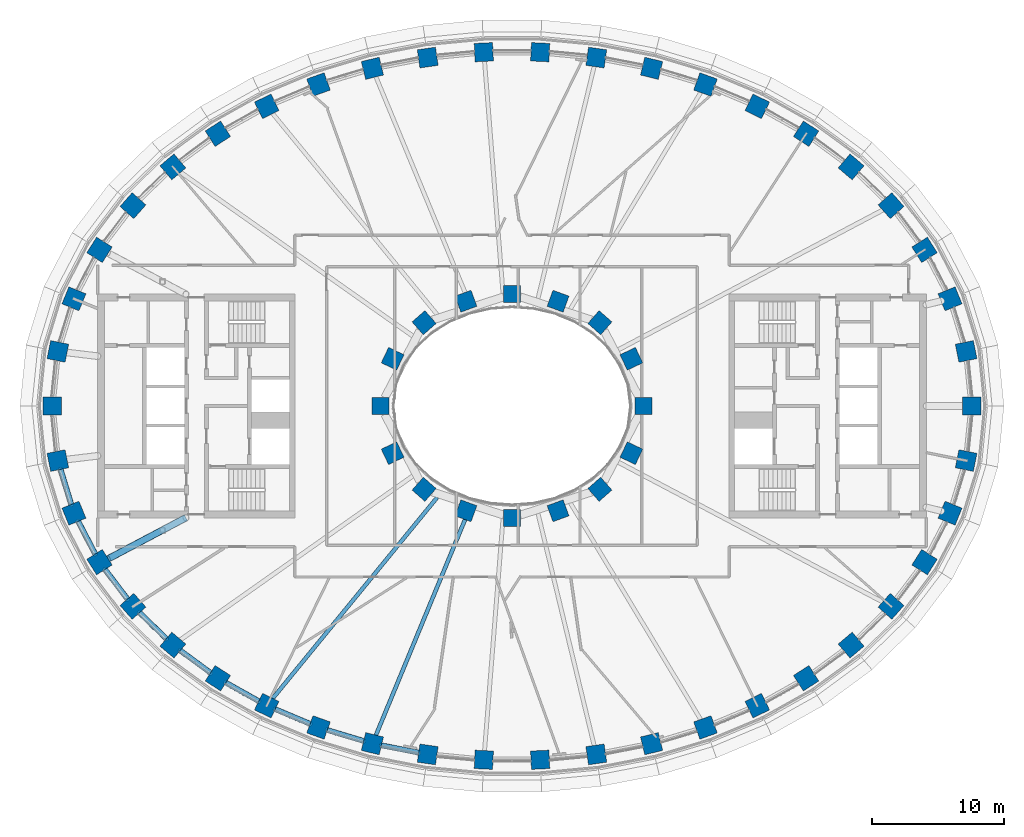
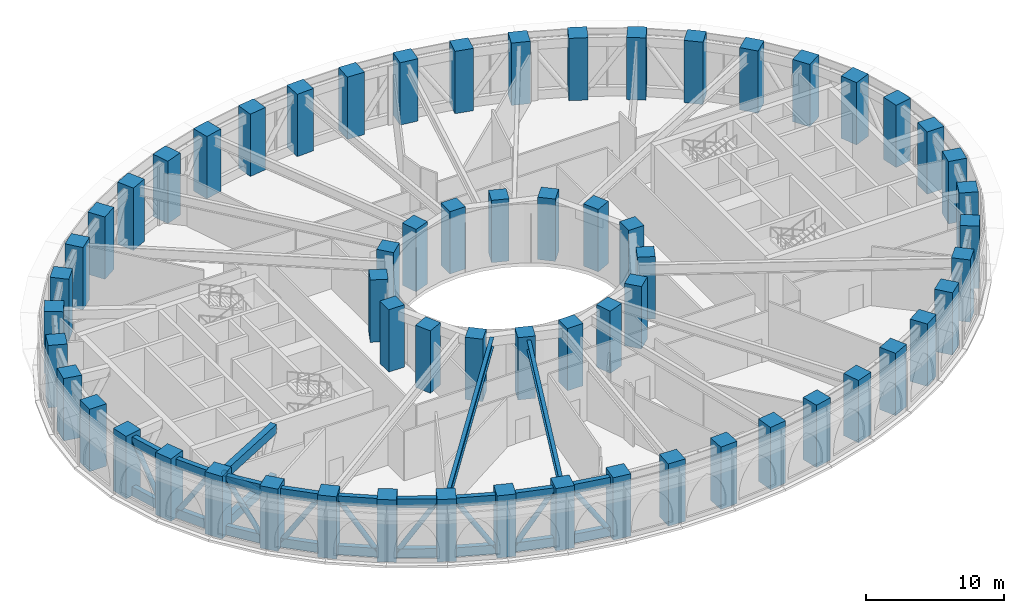
# One storey, part 1 of 25: 62 columns, 22 beams, 10 members.
"""IFC4 building model written with IfcOpenShell, lengths in metres."""

from ifc_helpers import new_model, si_unit, direction, frame, origin, origin_2d, place, context, subcontext, project, spatial, rectangle, hollow_rectangle, hollow_circle, i_section, extrude, material, material_profile, profile_set, type_object, element, save


model = new_model("IFC4")

# Units and contexts
model_context = context("Model", 3, precision=1e-05, world=origin(), true_north=direction((0.0, 1.0)))
body_context = subcontext(model_context, "Body", "Model", "MODEL_VIEW")
ifc_project = project(units=[si_unit("LENGTHUNIT", "METRE"), si_unit("AREAUNIT", "SQUARE_METRE"), si_unit("VOLUMEUNIT", "CUBIC_METRE"), si_unit("PLANEANGLEUNIT", "RADIAN"), si_unit("MASSUNIT", "GRAM", prefix="KILO")], contexts=[model_context])

# Site, building, storey
site_placement = place(None, origin())
site = spatial("IfcSite", under=ifc_project, at=site_placement, CompositionType="ELEMENT")
building_placement = place(site_placement, origin())
building = spatial("IfcBuilding", under=site, at=building_placement, Name="Noorbagh Ring Tower", CompositionType="ELEMENT")
storey_placement = place(building_placement, frame((0.0, 0.0, 82.5)))
storey = spatial("IfcBuildingStorey", under=building, at=storey_placement, Name="L18", CompositionType="ELEMENT", Elevation=82.5)

# Columns
ifc_material_1 = material(Name="Concrete C70/85", Category="concrete")
ifc_material_profile_1 = material_profile(ifc_material_1, rectangle(XDim=1.39990234375, YDim=1.39990234375, at=origin_2d()), Name="RC1400x1400")
ifc_profile_set_1 = profile_set([ifc_material_profile_1], Name="Concrete C70/85")
column_type_1 = type_object("IfcColumnType", Name="STR-COL-RC1400x1400-C70-85", PredefinedType="COLUMN", material=ifc_profile_set_1)
for number, where, z_axis, x_axis, name in (
    (1, (34.944580078125, 0.0, 0.0), (0.0, 0.0, 1.0), (0.0, 1.0, 0.0), "L18/col/R1-01"),
    (2, (34.52685546875, 4.150634765625, 0.0), (0.0, 0.0, 1.0), (-0.19723040178, 0.9803571638, 0.0), "L18/col/R1-02"),
    (3, (33.30517578125, 8.1494140625, 0.0), (0.0, 0.0, 1.0), (-0.378989499959, 0.925400971969, 0.0), "L18/col/R1-03"),
    (4, (31.364990234375, 11.87109375, 0.0), (0.0, 0.0, 1.0), (-0.535190403059, 0.844731455833, 0.0), "L18/col/R1-04"),
    (5, (28.81884765625, 15.23046875, 0.0), (0.0, 0.0, 1.0), (-0.662635642662, 0.748941923699, 0.0), "L18/col/R1-05"),
    (6, (25.78271484375, 18.180419921875, 0.0), (0.0, 0.0, 1.0), (-0.763035199656, 0.646356932419, 0.0), "L18/col/R1-06"),
    (7, (22.362060546875, 20.699951171875, 0.0), (0.0, 0.0, 1.0), (-0.840247639643, 0.542202825586, 0.0), "L18/col/R1-07"),
    (8, (18.646240234375, 22.785400390625, 0.0), (0.0, 0.0, 1.0), (-0.898399080868, 0.439180021741, 0.0), "L18/col/R1-08"),
    (9, (14.70947265625, 24.44091796875, 0.0), (0.0, 0.0, 1.0), (-0.941024726094, 0.338337797003, 0.0), "L18/col/R1-09"),
    (10, (10.61328125, 25.673583984375, 0.0), (0.0, 0.0, 1.0), (-0.970829360981, 0.239771457553, 0.0), "L18/col/R1-10"),
    (11, (6.4091796875, 26.49072265625, 0.0), (0.0, 0.0, 1.0), (-0.989713114048, 0.143066249975, 0.0), "L18/col/R1-11"),
    (12, (2.14306640625, 26.89794921875, 0.0), (0.0, 0.0, 1.0), (-0.998868731212, 0.047552684538, 0.0), "L18/col/R1-12"),
    (13, (-2.14306640625, 26.89794921875, 0.0), (0.0, 0.0, 1.0), (-0.998868731212, -0.047552684538, 0.0), "L18/col/R1-13"),
    (14, (-6.4091796875, 26.49072265625, 0.0), (0.0, 0.0, 1.0), (-0.989713114048, -0.143066249975, 0.0), "L18/col/R1-14"),
    (15, (-10.61328125, 25.673583984375, 0.0), (0.0, 0.0, 1.0), (-0.970829360981, -0.239771457553, 0.0), "L18/col/R1-15"),
    (16, (-14.70947265625, 24.44091796875, 0.0), (0.0, 0.0, 1.0), (-0.941024726094, -0.338337797003, 0.0), "L18/col/R1-16"),
    (17, (-18.646240234375, 22.785400390625, 0.0), (0.0, 0.0, 1.0), (-0.898399080868, -0.439180021741, 0.0), "L18/col/R1-17"),
    (18, (-22.362060546875, 20.699951171875, 0.0), (0.0, 0.0, 1.0), (-0.840247639643, -0.542202825586, 0.0), "L18/col/R1-18"),
    (19, (-25.78271484375, 18.180419921875, 0.0), (0.0, 0.0, 1.0), (-0.763035199656, -0.646356932419, 0.0), "L18/col/R1-19"),
    (20, (-28.81884765625, 15.23046875, 0.0), (0.0, 0.0, 1.0), (-0.662635642662, -0.748941923699, 0.0), "L18/col/R1-20"),
    (21, (-31.364990234375, 11.87109375, 0.0), (0.0, 0.0, 1.0), (-0.535190403059, -0.844731455833, 0.0), "L18/col/R1-21"),
    (22, (-33.30517578125, 8.1494140625, 0.0), (0.0, 0.0, 1.0), (-0.378989499959, -0.925400971969, 0.0), "L18/col/R1-22"),
    (23, (-34.52685546875, 4.150634765625, 0.0), (0.0, 0.0, 1.0), (-0.19723040178, -0.9803571638, 0.0), "L18/col/R1-23"),
    (24, (-34.944580078125, 0.0, 0.0), (0.0, 0.0, 1.0), (0.0, -1.0, 0.0), "L18/col/R1-24"),
    (25, (-34.52685546875, -4.150634765625, 0.0), (0.0, 0.0, 1.0), (0.19723040178, -0.9803571638, 0.0), "L18/col/R1-25"),
    (26, (-33.30517578125, -8.1494140625, 0.0), (0.0, 0.0, 1.0), (0.378989499959, -0.925400971969, 0.0), "L18/col/R1-26"),
    (27, (-31.364990234375, -11.87109375, 0.0), (0.0, 0.0, 1.0), (0.535190403059, -0.844731455833, 0.0), "L18/col/R1-27"),
    (28, (-28.81884765625, -15.23046875, 0.0), (0.0, 0.0, 1.0), (0.662635642662, -0.748941923699, 0.0), "L18/col/R1-28"),
    (29, (-25.78271484375, -18.180419921875, 0.0), (0.0, 0.0, 1.0), (0.763035199656, -0.646356932419, 0.0), "L18/col/R1-29"),
    (30, (-22.362060546875, -20.699951171875, 0.0), (0.0, 0.0, 1.0), (0.840247639643, -0.542202825586, 0.0), "L18/col/R1-30"),
    (31, (-18.646240234375, -22.785400390625, 0.0), (0.0, 0.0, 1.0), (0.898399080868, -0.439180021741, 0.0), "L18/col/R1-31"),
    (32, (-14.70947265625, -24.44091796875, 0.0), (0.0, 0.0, 1.0), (0.941024726094, -0.338337797003, 0.0), "L18/col/R1-32"),
    (33, (-10.61328125, -25.673583984375, 0.0), (0.0, 0.0, 1.0), (0.970829360981, -0.239771457553, 0.0), "L18/col/R1-33"),
    (34, (-6.4091796875, -26.49072265625, 0.0), (0.0, 0.0, 1.0), (0.989713114048, -0.143066249975, 0.0), "L18/col/R1-34"),
    (35, (-2.14306640625, -26.89794921875, 0.0), (0.0, 0.0, 1.0), (0.998868731212, -0.047552684538, 0.0), "L18/col/R1-35"),
    (36, (2.14306640625, -26.89794921875, 0.0), (0.0, 0.0, 1.0), (0.998868731212, 0.047552684538, 0.0), "L18/col/R1-36"),
    (37, (6.4091796875, -26.49072265625, 0.0), (0.0, 0.0, 1.0), (0.989713114048, 0.143066249975, 0.0), "L18/col/R1-37"),
    (38, (10.61328125, -25.673583984375, 0.0), (0.0, 0.0, 1.0), (0.970829360981, 0.239771457553, 0.0), "L18/col/R1-38"),
    (39, (14.70947265625, -24.44091796875, 0.0), (0.0, 0.0, 1.0), (0.941024726094, 0.338337797003, 0.0), "L18/col/R1-39"),
    (40, (18.646240234375, -22.785400390625, 0.0), (0.0, 0.0, 1.0), (0.898399080868, 0.439180021741, 0.0), "L18/col/R1-40"),
    (41, (22.362060546875, -20.699951171875, 0.0), (0.0, 0.0, 1.0), (0.840247639643, 0.542202825586, 0.0), "L18/col/R1-41"),
    (42, (25.78271484375, -18.180419921875, 0.0), (0.0, 0.0, 1.0), (0.763035199656, 0.646356932419, 0.0), "L18/col/R1-42"),
    (43, (28.81884765625, -15.23046875, 0.0), (0.0, 0.0, 1.0), (0.662635642662, 0.748941923699, 0.0), "L18/col/R1-43"),
    (44, (31.364990234375, -11.87109375, 0.0), (0.0, 0.0, 1.0), (0.535190403059, 0.844731455833, 0.0), "L18/col/R1-44"),
    (45, (33.30517578125, -8.1494140625, 0.0), (0.0, 0.0, 1.0), (0.378989499959, 0.925400971969, 0.0), "L18/col/R1-45"),
    (46, (34.52685546875, -4.150634765625, 0.0), (0.0, 0.0, 1.0), (0.19723040178, 0.9803571638, 0.0), "L18/col/R1-46"),
):
    element("IfcColumn", number, at=place(storey_placement, frame(where, z_axis=z_axis, x_axis=x_axis)), inside=storey, type_object=column_type_1, Name=name, PredefinedType="COLUMN", context=body_context, shape_type="SweptSolid", body=[
        extrude(rectangle(XDim=1.39990234375, YDim=1.39990234375, at=origin_2d()), origin(), (0.0, 0.0, 1.0), 5.5),
    ])
ifc_material_2 = material(Name="Concrete C70/85", Category="concrete")
ifc_material_profile_2 = material_profile(ifc_material_2, rectangle(XDim=1.300048828125, YDim=1.300048828125, at=origin_2d()), Name="RC1300x1300")
ifc_profile_set_2 = profile_set([ifc_material_profile_2], Name="Concrete C70/85")
column_type_2 = type_object("IfcColumnType", Name="STR-ICOL-RC1300x1300-C70-85", PredefinedType="COLUMN", material=ifc_profile_set_2)
for number, where, z_axis, x_axis, name in (
    (47, (10.00830078125, 0.0, 0.0), (0.0, 0.0, 1.0), (0.0, 1.0, 0.0), "L18/col/IR2-W01"),
    (48, (9.07568359375, 3.58837890625, 0.0), (0.0, 0.0, 1.0), (-0.428666979171, 0.903462573087, 0.0), "L18/col/IR2-W03"),
    (49, (6.68212890625, 6.333740234375, 0.0), (0.0, 0.0, 1.0), (-0.75102249095, 0.660276622399, 0.0), "L18/col/IR2-W05"),
    (50, (3.5009765625, 7.967041015625, 0.0), (0.0, 0.0, 1.0), (-0.939019578916, 0.343863679984, 0.0), "L18/col/IR2-W07"),
    (51, (0.0, 8.5029296875, 0.0), (0.0, 0.0, 1.0), (-1.0, 0.0, 0.0), "L18/col/IR2-W09"),
    (52, (-3.5009765625, 7.967041015625, 0.0), (0.0, 0.0, 1.0), (-0.939019578916, -0.343863679984, 0.0), "L18/col/IR2-W11"),
    (53, (-6.68212890625, 6.333740234375, 0.0), (0.0, 0.0, 1.0), (-0.75102249095, -0.660276622399, 0.0), "L18/col/IR2-W13"),
    (54, (-9.07568359375, 3.58837890625, 0.0), (0.0, 0.0, 1.0), (-0.428666979171, -0.903462573087, 0.0), "L18/col/IR2-W15"),
    (55, (-10.00830078125, 0.0, 0.0), (0.0, 0.0, 1.0), (0.0, -1.0, 0.0), "L18/col/IR2-W17"),
    (56, (-9.07568359375, -3.58837890625, 0.0), (0.0, 0.0, 1.0), (0.428666979171, -0.903462573087, 0.0), "L18/col/IR2-W19"),
    (57, (-6.68212890625, -6.333740234375, 0.0), (0.0, 0.0, 1.0), (0.75102249095, -0.660276622399, 0.0), "L18/col/IR2-W21"),
    (58, (-3.5009765625, -7.967041015625, 0.0), (0.0, 0.0, 1.0), (0.939019578916, -0.343863679984, 0.0), "L18/col/IR2-W23"),
    (59, (0.0, -8.5029296875, 0.0), (0.0, 0.0, 1.0), (1.0, 0.0, 0.0), "L18/col/IR2-W25"),
    (60, (3.5009765625, -7.967041015625, 0.0), (0.0, 0.0, 1.0), (0.939019578916, 0.343863679984, 0.0), "L18/col/IR2-W27"),
    (61, (6.68212890625, -6.333740234375, 0.0), (0.0, 0.0, 1.0), (0.75102249095, 0.660276622399, 0.0), "L18/col/IR2-W29"),
    (62, (9.07568359375, -3.58837890625, 0.0), (0.0, 0.0, 1.0), (0.428666979171, 0.903462573087, 0.0), "L18/col/IR2-W31"),
):
    element("IfcColumn", number, at=place(storey_placement, frame(where, z_axis=z_axis, x_axis=x_axis)), inside=storey, type_object=column_type_2, Name=name, PredefinedType="COLUMN", context=body_context, shape_type="SweptSolid", body=[
        extrude(rectangle(XDim=1.300048828125, YDim=1.300048828125, at=origin_2d()), origin(), (0.0, 0.0, 1.0), 5.5),
    ])

# Beams
ifc_material_3 = material(Name="Steel S460", Category="steel")
ifc_material_profile_3 = material_profile(ifc_material_3, hollow_rectangle(XDim=0.39990234375, YDim=0.800048828125, WallThickness=0.031982421875, at=origin_2d()), Name="BOX800x400x32")
ifc_profile_set_3 = profile_set([ifc_material_profile_3], Name="Steel S460")
beam_type_1 = type_object("IfcBeamType", Name="STR-BELT-TRUSS-CHORD-BOX800x400x32-S460", PredefinedType="BEAM", material=ifc_profile_set_3)
for number, where, z_axis, x_axis, name in (
    (63, (-34.3271484375, -4.80419921875, 0.39990234375), (0.292214128395, -0.956352917686, 0.0), (0.956352917686, 0.292214128395, 0.0), "Belt truss chord"),
    (64, (-34.3271484375, -4.80419921875, 4.800048828125), (0.292214128395, -0.956352917686, 0.0), (0.956352917686, 0.292214128395, 0.0), "Belt truss chord"),
):
    element("IfcBeam", number, at=place(storey_placement, frame(where, z_axis=z_axis, x_axis=x_axis)), inside=storey, type_object=beam_type_1, Name=name, PredefinedType="BEAM", context=body_context, shape_type="SweptSolid", body=[
        extrude(hollow_rectangle(XDim=0.39990234375, YDim=0.800048828125, WallThickness=0.031982421875, at=origin_2d()), origin(), (0.0, 0.0, 1.0), 2.814697265625),
    ])
for number, where, z_axis, x_axis, name in (
    (65, (-32.989501953125, -8.7548828125, 0.39990234375), (0.462289017529, -0.886729307214, 0.0), (0.886729307214, 0.462289017529, 0.0), "Belt truss chord"),
    (66, (-32.989501953125, -8.7548828125, 4.800048828125), (0.462289017529, -0.886729307214, 0.0), (0.886729307214, 0.462289017529, 0.0), "Belt truss chord"),
):
    element("IfcBeam", number, at=place(storey_placement, frame(where, z_axis=z_axis, x_axis=x_axis)), inside=storey, type_object=beam_type_1, Name=name, PredefinedType="BEAM", context=body_context, shape_type="SweptSolid", body=[
        extrude(hollow_rectangle(XDim=0.39990234375, YDim=0.800048828125, WallThickness=0.031982421875, at=origin_2d()), origin(), (0.0, 0.0, 1.0), 2.831787109375),
    ])
for number, where, z_axis, x_axis, name in (
    (67, (-30.952880859375, -12.414794921875, 0.39990234375), (0.604034079018, -0.796958487868, 0.0), (0.796958487868, 0.604034079018, 0.0), "Belt truss chord"),
    (68, (-30.952880859375, -12.414794921875, 4.800048828125), (0.604034079018, -0.796958487868, 0.0), (0.796958487868, 0.604034079018, 0.0), "Belt truss chord"),
):
    element("IfcBeam", number, at=place(storey_placement, frame(where, z_axis=z_axis, x_axis=x_axis)), inside=storey, type_object=beam_type_1, Name=name, PredefinedType="BEAM", context=body_context, shape_type="SweptSolid", body=[
        extrude(hollow_rectangle(XDim=0.39990234375, YDim=0.800048828125, WallThickness=0.031982421875, at=origin_2d()), origin(), (0.0, 0.0, 1.0), 2.85107421875),
    ])
for number, where, z_axis, x_axis, name in (
    (69, (-28.32958984375, -15.705810546875, 0.39990234375), (0.71720161488, -0.69686572854, 0.0), (0.69686572854, 0.71720161488, 0.0), "Belt truss chord"),
    (70, (-28.32958984375, -15.705810546875, 4.800048828125), (0.71720161488, -0.69686572854, 0.0), (0.69686572854, 0.71720161488, 0.0), "Belt truss chord"),
):
    element("IfcBeam", number, at=place(storey_placement, frame(where, z_axis=z_axis, x_axis=x_axis)), inside=storey, type_object=beam_type_1, Name=name, PredefinedType="BEAM", context=body_context, shape_type="SweptSolid", body=[
        extrude(hollow_rectangle(XDim=0.39990234375, YDim=0.800048828125, WallThickness=0.031982421875, at=origin_2d()), origin(), (0.0, 0.0, 1.0), 2.869384765625),
    ])
for number, where, z_axis, x_axis, name in (
    (71, (-25.23388671875, -18.58447265625, 0.39990234375), (0.805128135374, -0.593100906785, 0.0), (0.593100906785, 0.805128135374, 0.0), "Belt truss chord"),
    (72, (-25.23388671875, -18.58447265625, 4.800048828125), (0.805128135374, -0.593100906785, 0.0), (0.593100906785, 0.805128135374, 0.0), "Belt truss chord"),
):
    element("IfcBeam", number, at=place(storey_placement, frame(where, z_axis=z_axis, x_axis=x_axis)), inside=storey, type_object=beam_type_1, Name=name, PredefinedType="BEAM", context=body_context, shape_type="SweptSolid", body=[
        extrude(hollow_rectangle(XDim=0.39990234375, YDim=0.800048828125, WallThickness=0.031982421875, at=origin_2d()), origin(), (0.0, 0.0, 1.0), 2.885498046875),
    ])
for number, where, z_axis, x_axis, name in (
    (73, (-21.767822265625, -21.033447265625, 0.39990234375), (0.872027306064, -0.489457227426, 0.0), (0.489457227426, 0.872027306064, 0.0), "Belt truss chord"),
    (74, (-21.767822265625, -21.033447265625, 4.800048828125), (0.872027306064, -0.489457227426, 0.0), (0.489457227426, 0.872027306064, 0.0), "Belt truss chord"),
):
    element("IfcBeam", number, at=place(storey_placement, frame(where, z_axis=z_axis, x_axis=x_axis)), inside=storey, type_object=beam_type_1, Name=name, PredefinedType="BEAM", context=body_context, shape_type="SweptSolid", body=[
        extrude(hollow_rectangle(XDim=0.39990234375, YDim=0.800048828125, WallThickness=0.031982421875, at=origin_2d()), origin(), (0.0, 0.0, 1.0), 2.8984375),
    ])
for number, where, z_axis, x_axis, name in (
    (75, (-18.018310546875, -23.04931640625, 0.39990234375), (0.921785403555, -0.387700489803, 0.0), (0.387700489803, 0.921785403555, 0.0), "Belt truss chord"),
    (76, (-18.018310546875, -23.04931640625, 4.800048828125), (0.921785403555, -0.387700489803, 0.0), (0.387700489803, 0.921785403555, 0.0), "Belt truss chord"),
):
    element("IfcBeam", number, at=place(storey_placement, frame(where, z_axis=z_axis, x_axis=x_axis)), inside=storey, type_object=beam_type_1, Name=name, PredefinedType="BEAM", context=body_context, shape_type="SweptSolid", body=[
        extrude(hollow_rectangle(XDim=0.39990234375, YDim=0.800048828125, WallThickness=0.031982421875, at=origin_2d()), origin(), (0.0, 0.0, 1.0), 2.90869140625),
    ])
for number, where, z_axis, x_axis, name in (
    (77, (-14.057373046875, -24.63720703125, 0.39990234375), (0.95759784357, -0.288108260884, 0.0), (0.288108260884, 0.95759784357, 0.0), "Belt truss chord"),
    (78, (-14.057373046875, -24.63720703125, 4.800048828125), (0.95759784357, -0.288108260884, 0.0), (0.288108260884, 0.95759784357, 0.0), "Belt truss chord"),
):
    element("IfcBeam", number, at=place(storey_placement, frame(where, z_axis=z_axis, x_axis=x_axis)), inside=storey, type_object=beam_type_1, Name=name, PredefinedType="BEAM", context=body_context, shape_type="SweptSolid", body=[
        extrude(hollow_rectangle(XDim=0.39990234375, YDim=0.800048828125, WallThickness=0.031982421875, at=origin_2d()), origin(), (0.0, 0.0, 1.0), 2.915771484375),
    ])
for number, where, z_axis, x_axis, name in (
    (79, (-9.94482421875, -25.803466796875, 0.39990234375), (0.981624088963, -0.190824914433, 0.0), (0.190824914433, 0.981624088963, 0.0), "Belt truss chord"),
    (80, (-9.94482421875, -25.803466796875, 4.800048828125), (0.981624088963, -0.190824914433, 0.0), (0.190824914433, 0.981624088963, 0.0), "Belt truss chord"),
):
    element("IfcBeam", number, at=place(storey_placement, frame(where, z_axis=z_axis, x_axis=x_axis)), inside=storey, type_object=beam_type_1, Name=name, PredefinedType="BEAM", context=body_context, shape_type="SweptSolid", body=[
        extrude(hollow_rectangle(XDim=0.39990234375, YDim=0.800048828125, WallThickness=0.031982421875, at=origin_2d()), origin(), (0.0, 0.0, 1.0), 2.9208984375),
    ])

# Members
ifc_material_4 = material(Name="Steel S355", Category="steel")
ifc_material_profile_4 = material_profile(ifc_material_4, hollow_circle(Radius=0.203125, WallThickness=0.01611328125, at=origin_2d()), Name="CHS406.4x16")
ifc_profile_set_4 = profile_set([ifc_material_profile_4], Name="Steel S355")
member_type_1 = type_object("IfcMemberType", Name="STR-BELT-TRUSS-DIAGONAL-CHS406.4x16", PredefinedType="BRACE", material=ifc_profile_set_4)
member_1_placement = place(storey_placement, frame((-33.504638671875, -7.49609375, 0.39990234375), z_axis=(-0.157465779171, 0.515351048126, 0.842388168), x_axis=(-0.956352917686, -0.292214128395, 0.0)))
element("IfcMember", 81, at=member_1_placement, inside=storey, type_object=member_type_1, Name="Belt truss diagonal", PredefinedType="BRACE", context=body_context, shape_type="SweptSolid", body=[
    extrude(hollow_circle(Radius=0.203125, WallThickness=0.01611328125, at=origin_2d()), origin(), (0.0, 0.0, 1.0), 5.223388671875),
])
member_2_placement = place(storey_placement, frame((-32.989501953125, -8.7548828125, 0.39990234375), z_axis=(0.250178419674, -0.47987412278, 0.840911163332), x_axis=(0.886729307214, 0.462289017529, 0.0)))
element("IfcMember", 82, at=member_2_placement, inside=storey, type_object=member_type_1, Name="Belt truss diagonal", PredefinedType="BRACE", context=body_context, shape_type="SweptSolid", body=[
    extrude(hollow_circle(Radius=0.203125, WallThickness=0.01611328125, at=origin_2d()), origin(), (0.0, 0.0, 1.0), 5.232666015625),
])
member_3_placement = place(storey_placement, frame((-29.230712890625, -14.68701171875, 0.39990234375), z_axis=(-0.328463550828, 0.433372592508, 0.83922576929), x_axis=(-0.796958487868, -0.604034079018, 0.0)))
element("IfcMember", 83, at=member_3_placement, inside=storey, type_object=member_type_1, Name="Belt truss diagonal", PredefinedType="BRACE", context=body_context, shape_type="SweptSolid", body=[
    extrude(hollow_circle(Radius=0.203125, WallThickness=0.01611328125, at=origin_2d()), origin(), (0.0, 0.0, 1.0), 5.2431640625),
])
member_4_placement = place(storey_placement, frame((-28.32958984375, -15.705810546875, 0.39990234375), z_axis=(0.391748874364, -0.380641034647, 0.837642657807), x_axis=(0.69686572854, 0.71720161488, 0.0)))
element("IfcMember", 84, at=member_4_placement, inside=storey, type_object=member_type_1, Name="Belt truss diagonal", PredefinedType="BRACE", context=body_context, shape_type="SweptSolid", body=[
    extrude(hollow_circle(Radius=0.203125, WallThickness=0.01611328125, at=origin_2d()), origin(), (0.0, 0.0, 1.0), 5.2529296875),
])
member_5_placement = place(storey_placement, frame((-22.91064453125, -20.2958984375, 0.39990234375), z_axis=(-0.441520503226, 0.325247869652, 0.836225728209), x_axis=(-0.593100906785, -0.805128135374, 0.0)))
element("IfcMember", 85, at=member_5_placement, inside=storey, type_object=member_type_1, Name="Belt truss diagonal", PredefinedType="BRACE", context=body_context, shape_type="SweptSolid", body=[
    extrude(hollow_circle(Radius=0.203125, WallThickness=0.01611328125, at=origin_2d()), origin(), (0.0, 0.0, 1.0), 5.261962890625),
])
member_6_placement = place(storey_placement, frame((-21.767822265625, -21.033447265625, 0.39990234375), z_axis=(0.479706270357, -0.269252693619, 0.835095731733), x_axis=(0.489457227426, 0.872027306064, 0.0)))
element("IfcMember", 86, at=member_6_placement, inside=storey, type_object=member_type_1, Name="Belt truss diagonal", PredefinedType="BRACE", context=body_context, shape_type="SweptSolid", body=[
    extrude(hollow_circle(Radius=0.203125, WallThickness=0.01611328125, at=origin_2d()), origin(), (0.0, 0.0, 1.0), 5.26904296875),
])
member_7_placement = place(storey_placement, frame((-15.337158203125, -24.177001953125, 0.39990234375), z_axis=(-0.508312623929, 0.213794938074, 0.834212203704), x_axis=(-0.387700489803, -0.921785403555, 0.0)))
element("IfcMember", 87, at=member_7_placement, inside=storey, type_object=member_type_1, Name="Belt truss diagonal", PredefinedType="BRACE", context=body_context, shape_type="SweptSolid", body=[
    extrude(hollow_circle(Radius=0.203125, WallThickness=0.01611328125, at=origin_2d()), origin(), (0.0, 0.0, 1.0), 5.274658203125),
])
member_8_placement = place(storey_placement, frame((-14.057373046875, -24.63720703125, 0.39990234375), z_axis=(0.528972872137, -0.159149746701, 0.833582064747), x_axis=(0.288108260884, 0.95759784357, 0.0)))
element("IfcMember", 88, at=member_8_placement, inside=storey, type_object=member_type_1, Name="Belt truss diagonal", PredefinedType="BRACE", context=body_context, shape_type="SweptSolid", body=[
    extrude(hollow_circle(Radius=0.203125, WallThickness=0.01611328125, at=origin_2d()), origin(), (0.0, 0.0, 1.0), 5.278564453125),
])
member_9_placement = place(storey_placement, frame((-7.07763671875, -26.36083984375, 0.39990234375), z_axis=(-0.542888543508, 0.105535979635, 0.833147157668), x_axis=(-0.190824914433, -0.981624088963, 0.0)))
element("IfcMember", 89, at=member_9_placement, inside=storey, type_object=member_type_1, Name="Belt truss diagonal", PredefinedType="BRACE", context=body_context, shape_type="SweptSolid", body=[
    extrude(hollow_circle(Radius=0.203125, WallThickness=0.01611328125, at=origin_2d()), origin(), (0.0, 0.0, 1.0), 5.28125),
])

# Beams
ifc_material_5 = material(Name="Steel S460", Category="steel")
ifc_material_profile_5 = material_profile(ifc_material_5, hollow_rectangle(XDim=0.5, YDim=0.800048828125, WallThickness=0.0400390625, at=origin_2d()), Name="BOX800x500x40")
ifc_profile_set_5 = profile_set([ifc_material_profile_5], Name="Steel S460")
beam_type_2 = type_object("IfcBeamType", Name="STR-OUTRIGGER-TRUSS-CHORD-BOX800x500x40-S460", PredefinedType="BEAM", material=ifc_profile_set_5)
for number, where, z_axis, x_axis, name in (
    (90, (-30.71533203125, -11.625, 0.39990234375), (0.884102249546, 0.46729349701, 0.0), (-0.46729349701, 0.884102249546, 0.0), "Outrigger truss chord"),
    (91, (-30.71533203125, -11.625, 4.800048828125), (0.884102249546, 0.46729349701, 0.0), (-0.46729349701, 0.884102249546, 0.0), "Outrigger truss chord"),
):
    element("IfcBeam", number, at=place(storey_placement, frame(where, z_axis=z_axis, x_axis=x_axis)), inside=storey, type_object=beam_type_2, Name=name, PredefinedType="BEAM", context=body_context, shape_type="SweptSolid", body=[
        extrude(hollow_rectangle(XDim=0.5, YDim=0.800048828125, WallThickness=0.0400390625, at=origin_2d()), origin(), (0.0, 0.0, 1.0), 6.70263671875),
    ])

# Member
ifc_material_6 = material(Name="Steel S355", Category="steel")
ifc_material_profile_6 = material_profile(ifc_material_6, hollow_circle(Radius=0.25390625, WallThickness=0.02490234375, at=origin_2d()), Name="CHS508x25")
ifc_profile_set_6 = profile_set([ifc_material_profile_6], Name="Steel S355")
member_type_2 = type_object("IfcMemberType", Name="STR-OUTRIGGER-TRUSS-DIAGONAL-CHS508x25", PredefinedType="BRACE", material=ifc_profile_set_6)
member_10_placement = place(storey_placement, frame((-26.577392578125, -9.43798828125, 0.39990234375), z_axis=(-0.644144733164, -0.340447726691, 0.684961975681), x_axis=(0.467276455168, -0.884111256826, 0.0)))
element("IfcMember", 92, at=member_10_placement, inside=storey, type_object=member_type_2, Name="Outrigger truss diagonal", PredefinedType="BRACE", context=body_context, shape_type="SweptSolid", body=[
    extrude(hollow_circle(Radius=0.25390625, WallThickness=0.02490234375, at=origin_2d()), origin(), (0.0, 0.0, 1.0), 6.423828125),
])

# Beams
ifc_material_7 = material(Name="Steel S355", Category="steel")
ifc_material_profile_7 = material_profile(ifc_material_7, i_section(OverallWidth=0.300048828125, OverallDepth=0.85009765625, WebThickness=0.013916015625, FlangeThickness=0.028076171875, at=origin_2d()), Name="PG850x300x14x28")
ifc_profile_set_7 = profile_set([ifc_material_profile_7], Name="Steel S355")
beam_type_3 = type_object("IfcBeamType", Name="STR-RAD-PG850x300x14x28", PredefinedType="BEAM", material=ifc_profile_set_7)
beam_1_placement = place(storey_placement, frame((-18.20361328125, -22.244384765625, 4.77490234375), z_axis=(0.633309777349, 0.773898395084, 0.0), x_axis=(-0.773898395084, 0.633309777349, 0.0)))
element("IfcBeam", 93, at=beam_1_placement, inside=storey, type_object=beam_type_3, Name="L18/bm/RD31", PredefinedType="BEAM", context=body_context, shape_type="SweptSolid", body=[
    extrude(i_section(OverallWidth=0.300048828125, OverallDepth=0.85009765625, WebThickness=0.013916015625, FlangeThickness=0.028076171875, at=origin_2d()), origin(), (0.0, 0.0, 1.0), 19.76025390625),
])
beam_2_placement = place(storey_placement, frame((-10.350341796875, -25.037841796875, 4.77490234375), z_axis=(0.382029268338, 0.924150224873, 0.0), x_axis=(-0.924150224873, 0.382029268338, 0.0)))
element("IfcBeam", 94, at=beam_2_placement, inside=storey, type_object=beam_type_3, Name="L18/bm/RD33", PredefinedType="BEAM", context=body_context, shape_type="SweptSolid", body=[
    extrude(i_section(OverallWidth=0.300048828125, OverallDepth=0.85009765625, WebThickness=0.013916015625, FlangeThickness=0.028076171875, at=origin_2d()), origin(), (0.0, 0.0, 1.0), 18.69970703125),
])

save(model, "model.ifc")
